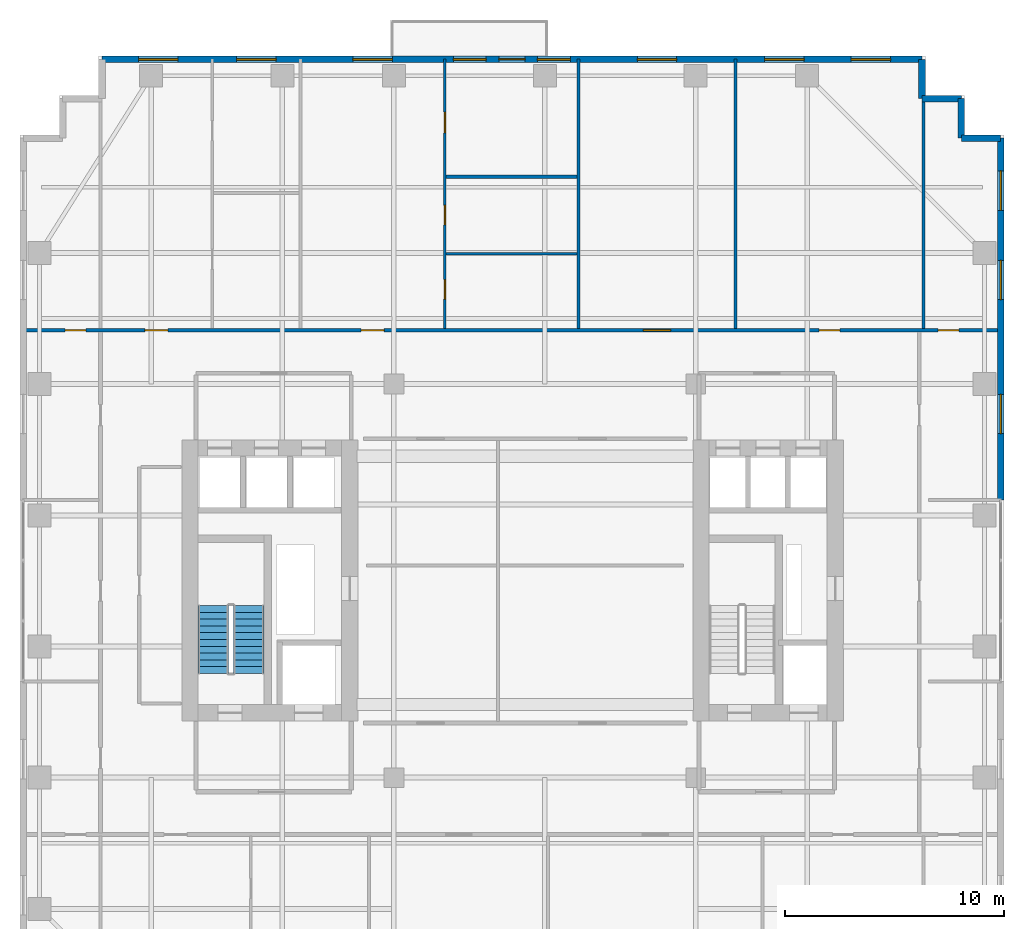
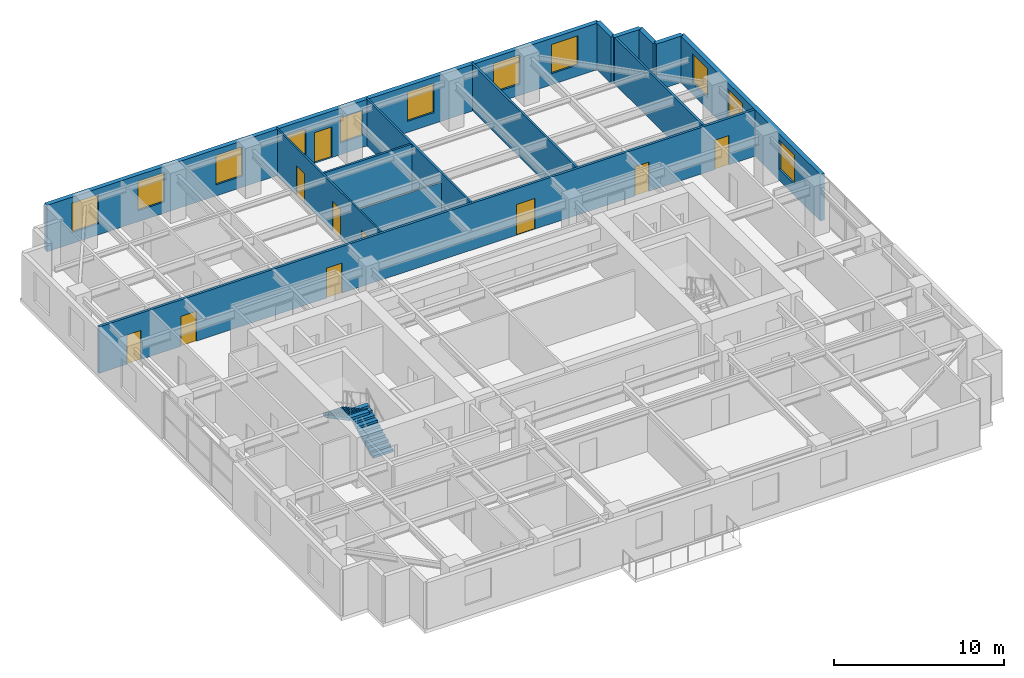
# One storey, part 11 of 14: 13 walls, 11 windows, 10 doors, 2 stair flights, 21 openings, 1 element without a shape of its own.
"""IFC4 building model written with IfcOpenShell, lengths in metres."""

from ifc_helpers import new_model, si_unit, direction, frame, frame_2d, origin, place, context, subcontext, project, spatial, polyline, rectangle, outline, extrude, source, transform, mapped, material, layer, layer_set, type_object, element, fill, aggregate, save


model = new_model("IFC4")

# Units and contexts
model_context = context("Model", 3, precision=1e-05, world=origin(), true_north=direction((0.0, 1.0)))
body_context = subcontext(model_context, "Body", "Model", "MODEL_VIEW")
ifc_project = project(units=[si_unit("LENGTHUNIT", "METRE"), si_unit("AREAUNIT", "SQUARE_METRE"), si_unit("VOLUMEUNIT", "CUBIC_METRE"), si_unit("PLANEANGLEUNIT", "RADIAN"), si_unit("MASSUNIT", "GRAM", prefix="KILO")], contexts=[model_context])

# Site, building, storey
site_placement = place(None, origin())
site = spatial("IfcSite", under=ifc_project, at=site_placement, CompositionType="ELEMENT")
building_placement = place(site_placement, origin())
building = spatial("IfcBuilding", under=site, at=building_placement, Name="Khoralis Quay Care Tower", CompositionType="ELEMENT")
storey_placement = place(building_placement, frame((0.0, 0.0, 108.89990234375)))
storey = spatial("IfcBuildingStorey", under=building, at=storey_placement, Name="L28", CompositionType="ELEMENT", Elevation=108.89990234375)

# Wall, openings, doors
ifc_material_1 = material(Name="Gypsum plasterboard on acoustic metal stud")
ifc_layer_1 = layer(ifc_material_1, 0.1650390625)
ifc_layer_set_1 = layer_set([ifc_layer_1], Name="Gypsum plasterboard on acoustic metal stud")
wall_type_1 = type_object("IfcWallType", Name="WL-CORR-165", PredefinedType="PARTITIONING", material=ifc_layer_set_1)
wall_1_placement = place(storey_placement, frame((0.14501953125, 32.4599609375, 0.0), z_axis=(0.0, 0.0, 1.0), x_axis=(1.0, 0.0, 0.0)))
wall_1 = element("IfcWall", 1, at=wall_1_placement, inside=storey, type_object=wall_type_1, Name="L28 North Main Corridor Wall", PredefinedType="PARTITIONING", context=body_context, shape_type="SweptSolid", body=[
    extrude(rectangle(XDim=44.7099609375, YDim=0.1650390625, at=frame_2d((22.35498046875, 0.0))), origin(), (0.0, 0.0, 1.0), 3.340087890625),
])
opening_1_placement = place(wall_1_placement, frame((5.569091796875, 0.0, 0.0)))
opening_1 = element("IfcOpeningElement", 2, at=opening_1_placement, cuts=wall_1, Name="Opening UD1", PredefinedType="OPENING", context=body_context, shape_type="SweptSolid", body=[
    extrude(rectangle(XDim=1.050048828125, YDim=2.14990234375, at=frame_2d((0.52490234375, 1.074951171875))), frame((0.0, 0.092529296875, 0.0), z_axis=(0.0, -1.0, 0.0), x_axis=(1.0, 0.0, 0.0)), (0.0, 0.0, 1.0), 0.18505859375),
])
opening_2_placement = place(wall_1_placement, frame((15.45703125, 0.0, 0.0)))
opening_2 = element("IfcOpeningElement", 3, at=opening_2_placement, cuts=wall_1, Name="Opening UD1", PredefinedType="OPENING", context=body_context, shape_type="SweptSolid", body=[
    extrude(rectangle(XDim=1.050048828125, YDim=2.14990234375, at=frame_2d((0.52490234375, 1.074951171875))), frame((0.0, 0.092529296875, 0.0), z_axis=(0.0, -1.0, 0.0), x_axis=(1.0, 0.0, 0.0)), (0.0, 0.0, 1.0), 0.18505859375),
])
opening_3_placement = place(wall_1_placement, frame((28.360107421875, 0.0, 0.0)))
opening_3 = element("IfcOpeningElement", 4, at=opening_3_placement, cuts=wall_1, Name="Opening CD1", PredefinedType="OPENING", context=body_context, shape_type="SweptSolid", body=[
    extrude(rectangle(XDim=1.25, YDim=2.199951171875, at=frame_2d((0.625, 1.10009765625))), frame((0.0, 0.092529296875, 0.0), z_axis=(0.0, -1.0, 0.0), x_axis=(1.0, 0.0, 0.0)), (0.0, 0.0, 1.0), 0.18505859375),
])
opening_4_placement = place(wall_1_placement, frame((36.39990234375, 0.0, 0.0)))
opening_4 = element("IfcOpeningElement", 5, at=opening_4_placement, cuts=wall_1, Name="Opening ID1", PredefinedType="OPENING", context=body_context, shape_type="SweptSolid", body=[
    extrude(rectangle(XDim=0.949951171875, YDim=2.10009765625, at=frame_2d((0.47509765625, 1.050048828125))), frame((0.0, 0.092529296875, 0.0), z_axis=(0.0, -1.0, 0.0), x_axis=(1.0, 0.0, 0.0)), (0.0, 0.0, 1.0), 0.18505859375),
])
opening_5_placement = place(wall_1_placement, frame((1.919921875, 0.0, 0.0)))
opening_5 = element("IfcOpeningElement", 6, at=opening_5_placement, cuts=wall_1, Name="Opening ID1", PredefinedType="OPENING", context=body_context, shape_type="SweptSolid", body=[
    extrude(rectangle(XDim=0.949951171875, YDim=2.10009765625, at=frame_2d((0.47509765625, 1.050048828125))), frame((0.0, 0.092529296875, 0.0), z_axis=(0.0, -1.0, 0.0), x_axis=(1.0, 0.0, 0.0)), (0.0, 0.0, 1.0), 0.18505859375),
])
opening_6_placement = place(wall_1_placement, frame((41.840087890625, 0.0, 0.0)))
opening_6 = element("IfcOpeningElement", 7, at=opening_6_placement, cuts=wall_1, Name="Opening ID1", PredefinedType="OPENING", context=body_context, shape_type="SweptSolid", body=[
    extrude(rectangle(XDim=0.949951171875, YDim=2.10009765625, at=frame_2d((0.47509765625, 1.050048828125))), frame((0.0, 0.092529296875, 0.0), z_axis=(0.0, -1.0, 0.0), x_axis=(1.0, 0.0, 0.0)), (0.0, 0.0, 1.0), 0.18505859375),
])
ifc_material_2 = material(Name="Acoustic hardwood timber", Category="wood")
door_type_1 = type_object("IfcDoorType", Name="DR-CARE-1250X2200", OperationType="NOTDEFINED", PredefinedType="DOOR", material=ifc_material_2)
shared_shape_1 = source(origin(), body_context, "Body", "SweptSolid", [
    extrude(rectangle(XDim=1.25, YDim=2.199951171875, at=frame_2d((0.625, 1.10009765625))), frame((0.0, 0.02490234375, 0.0), z_axis=(0.0, -1.0, 0.0), x_axis=(1.0, 0.0, 0.0)), (0.0, 0.0, 1.0), 0.050048828125),
])
door_1_placement = place(opening_3_placement, origin())
door_1 = element("IfcDoor", 8, at=door_1_placement, inside=storey, type_object=door_type_1, Name="L28 Physiotherapy Treatment Clinic Door", OperationType="SINGLE_SWING_RIGHT", OverallHeight=2.199951171875, OverallWidth=1.25, PredefinedType="DOOR", context=body_context, shape_type="MappedRepresentation", body=[
    mapped(shared_shape_1, transform((0.0, 0.0, 0.0), scale=1.0)),
])
fill(opening_3, door_1)
door_type_2 = type_object("IfcDoorType", Name="DR-ROOM-950X2100", OperationType="NOTDEFINED", PredefinedType="DOOR", material=ifc_material_2)
shared_shape_2 = source(origin(), body_context, "Body", "SweptSolid", [
    extrude(rectangle(XDim=0.949951171875, YDim=2.10009765625, at=frame_2d((0.47509765625, 1.050048828125))), frame((0.0, 0.02490234375, 0.0), z_axis=(0.0, -1.0, 0.0), x_axis=(1.0, 0.0, 0.0)), (0.0, 0.0, 1.0), 0.050048828125),
])
door_2_placement = place(opening_4_placement, origin())
door_2 = element("IfcDoor", 9, at=door_2_placement, inside=storey, type_object=door_type_2, Name="L28 Family Case Conference Room Door", OperationType="SINGLE_SWING_RIGHT", OverallHeight=2.10009765625, OverallWidth=0.949951171875, PredefinedType="DOOR", context=body_context, shape_type="MappedRepresentation", body=[
    mapped(shared_shape_2, transform((0.0, 0.0, 0.0), scale=1.0)),
])
fill(opening_4, door_2)
door_3_placement = place(opening_5_placement, origin())
door_3 = element("IfcDoor", 10, at=door_3_placement, inside=storey, type_object=door_type_2, Name="L28 NW Corner Door", OperationType="SINGLE_SWING_RIGHT", OverallHeight=2.10009765625, OverallWidth=0.949951171875, PredefinedType="DOOR", context=body_context, shape_type="MappedRepresentation", body=[
    mapped(shared_shape_2, transform((0.0, 0.0, 0.0), scale=1.0)),
])
fill(opening_5, door_3)
door_4_placement = place(opening_6_placement, origin())
door_4 = element("IfcDoor", 11, at=door_4_placement, inside=storey, type_object=door_type_2, Name="L28 NE Corner Door", OperationType="SINGLE_SWING_LEFT", OverallHeight=2.10009765625, OverallWidth=0.949951171875, PredefinedType="DOOR", context=body_context, shape_type="MappedRepresentation", body=[
    mapped(shared_shape_2, transform((0.0, 0.0, 0.0), scale=1.0)),
])
fill(opening_6, door_4)
door_type_3 = type_object("IfcDoorType", Name="DR-SUITE-1050X2150", OperationType="NOTDEFINED", PredefinedType="DOOR", material=ifc_material_2)
shared_shape_3 = source(origin(), body_context, "Body", "SweptSolid", [
    extrude(rectangle(XDim=1.050048828125, YDim=2.14990234375, at=frame_2d((0.52490234375, 1.074951171875))), frame((0.0, 0.02490234375, 0.0), z_axis=(0.0, -1.0, 0.0), x_axis=(1.0, 0.0, 0.0)), (0.0, 0.0, 1.0), 0.050048828125),
])
door_5_placement = place(opening_1_placement, origin())
door_5 = element("IfcDoor", 12, at=door_5_placement, inside=storey, type_object=door_type_3, Name="L28 Studio NB0 Entrance", OperationType="SINGLE_SWING_RIGHT", OverallHeight=2.14990234375, OverallWidth=1.050048828125, PredefinedType="DOOR", context=body_context, shape_type="MappedRepresentation", body=[
    mapped(shared_shape_3, transform((0.0, 0.0, 0.0), scale=1.0)),
])
fill(opening_1, door_5)
door_6_placement = place(opening_2_placement, origin())
door_6 = element("IfcDoor", 13, at=door_6_placement, inside=storey, type_object=door_type_3, Name="L28 Apartment NB1 Entrance Door", OperationType="SINGLE_SWING_LEFT", OverallHeight=2.14990234375, OverallWidth=1.050048828125, PredefinedType="DOOR", context=body_context, shape_type="MappedRepresentation", body=[
    mapped(shared_shape_3, transform((0.0, 0.0, 0.0), scale=1.0)),
])
fill(opening_2, door_6)

# Wall, openings, windows
ifc_material_3 = material(Name="Precast concrete C45/55", Category="concrete")
ifc_layer_2 = layer(ifc_material_3, 0.300048828125)
ifc_layer_set_2 = layer_set([ifc_layer_2], Name="Precast concrete C45/55")
wall_type_2 = type_object("IfcWallType", Name="WL-EXT-REF-300", PredefinedType="SOLIDWALL", material=ifc_layer_set_2)
wall_2_placement = place(storey_placement, frame((44.85009765625, 24.699951171875, 0.0), z_axis=(0.0, 0.0, 1.0), x_axis=(0.0, 1.0, 0.0)))
wall_2 = element("IfcWall", 14, at=wall_2_placement, inside=storey, type_object=wall_type_2, Name="L28 External Facade Wall WL-EXT-L28-P1-E5B", PredefinedType="SOLIDWALL", context=body_context, shape_type="SweptSolid", body=[
    extrude(rectangle(XDim=16.550048828125, YDim=0.300048828125, at=frame_2d((8.27490234375, 0.0))), origin(), (0.0, 0.0, 1.0), 3.340087890625),
])
opening_7_placement = place(wall_2_placement, frame((3.030029296875, 0.0, 0.800048828125)))
opening_7 = element("IfcOpeningElement", 15, at=opening_7_placement, cuts=wall_2, Name="Opening W2", PredefinedType="OPENING", context=body_context, shape_type="SweptSolid", body=[
    extrude(rectangle(XDim=1.800048828125, YDim=2.10009765625, at=frame_2d((0.89990234375, 1.050048828125))), frame((0.0, 0.16015625, 0.0), z_axis=(0.0, -1.0, 0.0), x_axis=(1.0, 0.0, 0.0)), (0.0, 0.0, 1.0), 0.320068359375),
])
opening_8_placement = place(wall_2_placement, frame((9.16259765625, 0.0, 0.800048828125)))
opening_8 = element("IfcOpeningElement", 16, at=opening_8_placement, cuts=wall_2, Name="Opening W2", PredefinedType="OPENING", context=body_context, shape_type="SweptSolid", body=[
    extrude(rectangle(XDim=1.800048828125, YDim=2.10009765625, at=frame_2d((0.89990234375, 1.050048828125))), frame((0.0, 0.16015625, 0.0), z_axis=(0.0, -1.0, 0.0), x_axis=(1.0, 0.0, 0.0)), (0.0, 0.0, 1.0), 0.320068359375),
])
opening_9_placement = place(wall_2_placement, frame((13.24755859375, 0.0, 0.800048828125)))
opening_9 = element("IfcOpeningElement", 17, at=opening_9_placement, cuts=wall_2, Name="Opening W2", PredefinedType="OPENING", context=body_context, shape_type="SweptSolid", body=[
    extrude(rectangle(XDim=1.800048828125, YDim=2.10009765625, at=frame_2d((0.89990234375, 1.050048828125))), frame((0.0, 0.16015625, 0.0), z_axis=(0.0, -1.0, 0.0), x_axis=(1.0, 0.0, 0.0)), (0.0, 0.0, 1.0), 0.320068359375),
])
ifc_material_4 = material(Name="Low-E solar-control double glazing", Category="glass")
window_type_1 = type_object("IfcWindowType", Name="WN-POD-1800X2100", PartitioningType="SINGLE_PANEL", PredefinedType="WINDOW", material=ifc_material_4)
shared_shape_4 = source(origin(), body_context, "Body", "SweptSolid", [
    extrude(rectangle(XDim=1.800048828125, YDim=2.10009765625, at=frame_2d((0.89990234375, 1.050048828125))), frame((0.0, 0.030029296875, 0.0), z_axis=(0.0, -1.0, 0.0), x_axis=(1.0, 0.0, 0.0)), (0.0, 0.0, 1.0), 0.06005859375),
])
window_1_placement = place(opening_7_placement, origin())
window_1 = element("IfcWindow", 18, at=window_1_placement, inside=storey, type_object=window_type_1, Name="WN-L28-P1-E5B Facade Window 01", OverallHeight=2.10009765625, OverallWidth=1.800048828125, PartitioningType="SINGLE_PANEL", PredefinedType="WINDOW", context=body_context, shape_type="MappedRepresentation", body=[
    mapped(shared_shape_4, transform((0.0, 0.0, 0.0), scale=1.0)),
])
fill(opening_7, window_1)
window_2_placement = place(opening_8_placement, origin())
window_2 = element("IfcWindow", 19, at=window_2_placement, inside=storey, type_object=window_type_1, Name="WN-L28-P1-E5B Facade Window 02", OverallHeight=2.10009765625, OverallWidth=1.800048828125, PartitioningType="SINGLE_PANEL", PredefinedType="WINDOW", context=body_context, shape_type="MappedRepresentation", body=[
    mapped(shared_shape_4, transform((0.0, 0.0, 0.0), scale=1.0)),
])
fill(opening_8, window_2)
window_3_placement = place(opening_9_placement, origin())
window_3 = element("IfcWindow", 20, at=window_3_placement, inside=storey, type_object=window_type_1, Name="WN-L28-P1-E5B Facade Window 03", OverallHeight=2.10009765625, OverallWidth=1.800048828125, PartitioningType="SINGLE_PANEL", PredefinedType="WINDOW", context=body_context, shape_type="MappedRepresentation", body=[
    mapped(shared_shape_4, transform((0.0, 0.0, 0.0), scale=1.0)),
])
fill(opening_9, window_3)

# Walls
for number, where, z_axis, x_axis, name in (
    (21, (44.85009765625, 41.25, 0.0), (0.0, 0.0, 1.0), (-1.0, 0.0, 0.0), "L28 External Facade Wall WL-EXT-L28-P1-C6"),
    (22, (43.050048828125, 41.25, 0.0), (0.0, 0.0, 1.0), (0.0, 1.0, 0.0), "L28 External Facade Wall WL-EXT-L28-P1-C7"),
    (23, (43.050048828125, 43.050048828125, 0.0), (0.0, 0.0, 1.0), (-1.0, 0.0, 0.0), "L28 External Facade Wall WL-EXT-L28-P1-C8"),
    (24, (41.25, 43.050048828125, 0.0), (0.0, 0.0, 1.0), (0.0, 1.0, 0.0), "L28 External Facade Wall WL-EXT-L28-P1-C9"),
):
    element("IfcWall", number, at=place(storey_placement, frame(where, z_axis=z_axis, x_axis=x_axis)), inside=storey, type_object=wall_type_2, Name=name, PredefinedType="SOLIDWALL", context=body_context, shape_type="SweptSolid", body=[
        extrude(rectangle(XDim=1.800048828125, YDim=0.300048828125, at=frame_2d((0.89990234375, 0.0))), origin(), (0.0, 0.0, 1.0), 3.340087890625),
    ])

# Wall, openings, windows, door
wall_3_placement = place(storey_placement, frame((41.25, 44.85009765625, 0.0), z_axis=(0.0, 0.0, 1.0), x_axis=(-1.0, 0.0, 0.0)))
wall_3 = element("IfcWall", 25, at=wall_3_placement, inside=storey, type_object=wall_type_2, Name="L28 External Facade Wall WL-EXT-L28-P1-E10", PredefinedType="SOLIDWALL", context=body_context, shape_type="SweptSolid", body=[
    extrude(rectangle(XDim=37.5, YDim=0.300048828125, at=frame_2d((18.75, 0.0))), origin(), (0.0, 0.0, 1.0), 3.340087890625),
])
opening_10_placement = place(wall_3_placement, frame((1.4375, 0.0, 0.800048828125)))
opening_10 = element("IfcOpeningElement", 26, at=opening_10_placement, cuts=wall_3, Name="Opening W2", PredefinedType="OPENING", context=body_context, shape_type="SweptSolid", body=[
    extrude(rectangle(XDim=1.800048828125, YDim=2.10009765625, at=frame_2d((0.89990234375, 1.050048828125))), frame((0.0, 0.16015625, 0.0), z_axis=(0.0, -1.0, 0.0), x_axis=(1.0, 0.0, 0.0)), (0.0, 0.0, 1.0), 0.320068359375),
])
opening_11_placement = place(wall_3_placement, frame((5.392578125, 0.0, 0.800048828125)))
opening_11 = element("IfcOpeningElement", 27, at=opening_11_placement, cuts=wall_3, Name="Opening W2", PredefinedType="OPENING", context=body_context, shape_type="SweptSolid", body=[
    extrude(rectangle(XDim=1.800048828125, YDim=2.10009765625, at=frame_2d((0.89990234375, 1.050048828125))), frame((0.0, 0.16015625, 0.0), z_axis=(0.0, -1.0, 0.0), x_axis=(1.0, 0.0, 0.0)), (0.0, 0.0, 1.0), 0.320068359375),
])
opening_12_placement = place(wall_3_placement, frame((11.219970703125, 0.0, 0.800048828125)))
opening_12 = element("IfcOpeningElement", 28, at=opening_12_placement, cuts=wall_3, Name="Opening W2", PredefinedType="OPENING", context=body_context, shape_type="SweptSolid", body=[
    extrude(rectangle(XDim=1.800048828125, YDim=2.10009765625, at=frame_2d((0.89990234375, 1.050048828125))), frame((0.0, 0.16015625, 0.0), z_axis=(0.0, -1.0, 0.0), x_axis=(1.0, 0.0, 0.0)), (0.0, 0.0, 1.0), 0.320068359375),
])
opening_13_placement = place(wall_3_placement, frame((16.0849609375, 0.0, 0.85009765625)))
opening_13 = element("IfcOpeningElement", 29, at=opening_13_placement, cuts=wall_3, Name="Opening W3", PredefinedType="OPENING", context=body_context, shape_type="SweptSolid", body=[
    extrude(rectangle(XDim=1.5, YDim=1.800048828125, at=frame_2d((0.75, 0.89990234375))), frame((0.0, 0.16015625, 0.0), z_axis=(0.0, -1.0, 0.0), x_axis=(1.0, 0.0, 0.0)), (0.0, 0.0, 1.0), 0.320068359375),
])
opening_14_placement = place(wall_3_placement, frame((19.927978515625, 0.0, 0.85009765625)))
opening_14 = element("IfcOpeningElement", 30, at=opening_14_placement, cuts=wall_3, Name="Opening W3", PredefinedType="OPENING", context=body_context, shape_type="SweptSolid", body=[
    extrude(rectangle(XDim=1.5, YDim=1.800048828125, at=frame_2d((0.75, 0.89990234375))), frame((0.0, 0.16015625, 0.0), z_axis=(0.0, -1.0, 0.0), x_axis=(1.0, 0.0, 0.0)), (0.0, 0.0, 1.0), 0.320068359375),
])
opening_15_placement = place(wall_3_placement, frame((24.222900390625, 0.0, 0.800048828125)))
opening_15 = element("IfcOpeningElement", 31, at=opening_15_placement, cuts=wall_3, Name="Opening W2", PredefinedType="OPENING", context=body_context, shape_type="SweptSolid", body=[
    extrude(rectangle(XDim=1.800048828125, YDim=2.10009765625, at=frame_2d((0.89990234375, 1.050048828125))), frame((0.0, 0.16015625, 0.0), z_axis=(0.0, -1.0, 0.0), x_axis=(1.0, 0.0, 0.0)), (0.0, 0.0, 1.0), 0.320068359375),
])
opening_16_placement = place(wall_3_placement, frame((29.541015625, 0.0, 0.800048828125)))
opening_16 = element("IfcOpeningElement", 32, at=opening_16_placement, cuts=wall_3, Name="Opening W2", PredefinedType="OPENING", context=body_context, shape_type="SweptSolid", body=[
    extrude(rectangle(XDim=1.800048828125, YDim=2.10009765625, at=frame_2d((0.89990234375, 1.050048828125))), frame((0.0, 0.16015625, 0.0), z_axis=(0.0, -1.0, 0.0), x_axis=(1.0, 0.0, 0.0)), (0.0, 0.0, 1.0), 0.320068359375),
])
opening_17_placement = place(wall_3_placement, frame((34.02587890625, 0.0, 0.800048828125)))
opening_17 = element("IfcOpeningElement", 33, at=opening_17_placement, cuts=wall_3, Name="Opening W2", PredefinedType="OPENING", context=body_context, shape_type="SweptSolid", body=[
    extrude(rectangle(XDim=1.800048828125, YDim=2.10009765625, at=frame_2d((0.89990234375, 1.050048828125))), frame((0.0, 0.16015625, 0.0), z_axis=(0.0, -1.0, 0.0), x_axis=(1.0, 0.0, 0.0)), (0.0, 0.0, 1.0), 0.320068359375),
])
opening_18_placement = place(wall_3_placement, frame((18.14990234375, 0.0, 0.0)))
opening_18 = element("IfcOpeningElement", 34, at=opening_18_placement, cuts=wall_3, Name="Opening BD1", PredefinedType="OPENING", context=body_context, shape_type="SweptSolid", body=[
    extrude(rectangle(XDim=1.199951171875, YDim=2.199951171875, at=frame_2d((0.60009765625, 1.10009765625))), frame((0.0, 0.16015625, 0.0), z_axis=(0.0, -1.0, 0.0), x_axis=(1.0, 0.0, 0.0)), (0.0, 0.0, 1.0), 0.320068359375),
])
window_type_2 = type_object("IfcWindowType", Name="WN-CLIN-1500X1800", PartitioningType="SINGLE_PANEL", PredefinedType="WINDOW", material=ifc_material_4)
shared_shape_5 = source(origin(), body_context, "Body", "SweptSolid", [
    extrude(rectangle(XDim=1.5, YDim=1.800048828125, at=frame_2d((0.75, 0.89990234375))), frame((0.0, 0.030029296875, 0.0), z_axis=(0.0, -1.0, 0.0), x_axis=(1.0, 0.0, 0.0)), (0.0, 0.0, 1.0), 0.06005859375),
])
window_4_placement = place(opening_13_placement, origin())
window_4 = element("IfcWindow", 35, at=window_4_placement, inside=storey, type_object=window_type_2, Name="WN-L28-P1-E10 Facade Window 04", OverallHeight=1.800048828125, OverallWidth=1.5, PartitioningType="SINGLE_PANEL", PredefinedType="WINDOW", context=body_context, shape_type="MappedRepresentation", body=[
    mapped(shared_shape_5, transform((0.0, 0.0, 0.0), scale=1.0)),
])
fill(opening_13, window_4)
window_5_placement = place(opening_14_placement, origin())
window_5 = element("IfcWindow", 36, at=window_5_placement, inside=storey, type_object=window_type_2, Name="WN-L28-P1-E10 Facade Window 05", OverallHeight=1.800048828125, OverallWidth=1.5, PartitioningType="SINGLE_PANEL", PredefinedType="WINDOW", context=body_context, shape_type="MappedRepresentation", body=[
    mapped(shared_shape_5, transform((0.0, 0.0, 0.0), scale=1.0)),
])
fill(opening_14, window_5)
window_6_placement = place(opening_10_placement, origin())
window_6 = element("IfcWindow", 37, at=window_6_placement, inside=storey, type_object=window_type_1, Name="WN-L28-P1-E10 Facade Window 01", OverallHeight=2.10009765625, OverallWidth=1.800048828125, PartitioningType="SINGLE_PANEL", PredefinedType="WINDOW", context=body_context, shape_type="MappedRepresentation", body=[
    mapped(shared_shape_4, transform((0.0, 0.0, 0.0), scale=1.0)),
])
fill(opening_10, window_6)
window_7_placement = place(opening_11_placement, origin())
window_7 = element("IfcWindow", 38, at=window_7_placement, inside=storey, type_object=window_type_1, Name="WN-L28-P1-E10 Facade Window 02", OverallHeight=2.10009765625, OverallWidth=1.800048828125, PartitioningType="SINGLE_PANEL", PredefinedType="WINDOW", context=body_context, shape_type="MappedRepresentation", body=[
    mapped(shared_shape_4, transform((0.0, 0.0, 0.0), scale=1.0)),
])
fill(opening_11, window_7)
window_8_placement = place(opening_12_placement, origin())
window_8 = element("IfcWindow", 39, at=window_8_placement, inside=storey, type_object=window_type_1, Name="WN-L28-P1-E10 Facade Window 03", OverallHeight=2.10009765625, OverallWidth=1.800048828125, PartitioningType="SINGLE_PANEL", PredefinedType="WINDOW", context=body_context, shape_type="MappedRepresentation", body=[
    mapped(shared_shape_4, transform((0.0, 0.0, 0.0), scale=1.0)),
])
fill(opening_12, window_8)
window_9_placement = place(opening_15_placement, origin())
window_9 = element("IfcWindow", 40, at=window_9_placement, inside=storey, type_object=window_type_1, Name="WN-L28-P1-E10 Facade Window 06", OverallHeight=2.10009765625, OverallWidth=1.800048828125, PartitioningType="SINGLE_PANEL", PredefinedType="WINDOW", context=body_context, shape_type="MappedRepresentation", body=[
    mapped(shared_shape_4, transform((0.0, 0.0, 0.0), scale=1.0)),
])
fill(opening_15, window_9)
window_10_placement = place(opening_16_placement, origin())
window_10 = element("IfcWindow", 41, at=window_10_placement, inside=storey, type_object=window_type_1, Name="WN-L28-P1-E10 Facade Window 07", OverallHeight=2.10009765625, OverallWidth=1.800048828125, PartitioningType="SINGLE_PANEL", PredefinedType="WINDOW", context=body_context, shape_type="MappedRepresentation", body=[
    mapped(shared_shape_4, transform((0.0, 0.0, 0.0), scale=1.0)),
])
fill(opening_16, window_10)
window_11_placement = place(opening_17_placement, origin())
window_11 = element("IfcWindow", 42, at=window_11_placement, inside=storey, type_object=window_type_1, Name="WN-L28-P1-E10 Facade Window 08", OverallHeight=2.10009765625, OverallWidth=1.800048828125, PartitioningType="SINGLE_PANEL", PredefinedType="WINDOW", context=body_context, shape_type="MappedRepresentation", body=[
    mapped(shared_shape_4, transform((0.0, 0.0, 0.0), scale=1.0)),
])
fill(opening_17, window_11)
ifc_material_5 = material(Name="Anodised aluminium and laminated safety glass", Category="aluminium")
door_type_4 = type_object("IfcDoorType", Name="DR-EXT-BALC-1200X2200", OperationType="NOTDEFINED", PredefinedType="DOOR", material=ifc_material_5)
shared_shape_6 = source(origin(), body_context, "Body", "SweptSolid", [
    extrude(rectangle(XDim=1.199951171875, YDim=2.199951171875, at=frame_2d((0.60009765625, 1.10009765625))), frame((0.0, 0.02490234375, 0.0), z_axis=(0.0, -1.0, 0.0), x_axis=(1.0, 0.0, 0.0)), (0.0, 0.0, 1.0), 0.050048828125),
])
door_7_placement = place(opening_18_placement, frame((1.199951171875, 0.0, 0.0), z_axis=(0.0, 0.0, 1.0), x_axis=(-1.0, 0.0, 0.0)))
door_7 = element("IfcDoor", 43, at=door_7_placement, inside=storey, type_object=door_type_4, Name="L28 Senior Loggia Balcony Door", OperationType="SINGLE_SWING_LEFT", OverallHeight=2.199951171875, OverallWidth=1.199951171875, PredefinedType="DOOR", context=body_context, shape_type="MappedRepresentation", body=[
    mapped(shared_shape_6, transform((0.0, 0.0, 0.0), scale=1.0)),
])
fill(opening_18, door_7)

# Wall, openings, doors
ifc_layer_3 = layer(ifc_material_1, 0.114990234375)
ifc_layer_set_3 = layer_set([ifc_layer_3], Name="Gypsum plasterboard on acoustic metal stud")
wall_type_3 = type_object("IfcWallType", Name="WL-PART-115", PredefinedType="PARTITIONING", material=ifc_layer_set_3)
wall_4_placement = place(storey_placement, frame((19.43408203125, 32.53759765625, 0.0), z_axis=(0.0, 0.0, 1.0), x_axis=(0.0, 1.0, 0.0)))
wall_4 = element("IfcWall", 44, at=wall_4_placement, inside=storey, type_object=wall_type_3, Name="L28 Unit 1 Internal Wall", PredefinedType="PARTITIONING", context=body_context, shape_type="SweptSolid", body=[
    extrude(rectangle(XDim=12.3173828125, YDim=0.114990234375, at=frame_2d((6.15869140625, 0.0))), origin(), (0.0, 0.0, 1.0), 3.340087890625),
])
opening_19_placement = place(wall_4_placement, frame((8.95361328125, 0.0, 0.0)))
opening_19 = element("IfcOpeningElement", 45, at=opening_19_placement, cuts=wall_4, Name="Opening ID1", PredefinedType="OPENING", context=body_context, shape_type="SweptSolid", body=[
    extrude(rectangle(XDim=0.949951171875, YDim=2.10009765625, at=frame_2d((0.47509765625, 1.050048828125))), frame((0.0, 0.0673828125, 0.0), z_axis=(0.0, -1.0, 0.0), x_axis=(1.0, 0.0, 0.0)), (0.0, 0.0, 1.0), 0.135009765625),
])
opening_20_placement = place(wall_4_placement, frame((4.739013671875, 0.0, 0.0)))
opening_20 = element("IfcOpeningElement", 46, at=opening_20_placement, cuts=wall_4, Name="Opening WD1", PredefinedType="OPENING", context=body_context, shape_type="SweptSolid", body=[
    extrude(rectangle(XDim=0.89990234375, YDim=2.10009765625, at=frame_2d((0.449951171875, 1.050048828125))), frame((0.0, 0.0673828125, 0.0), z_axis=(0.0, -1.0, 0.0), x_axis=(1.0, 0.0, 0.0)), (0.0, 0.0, 1.0), 0.135009765625),
])
opening_21_placement = place(wall_4_placement, frame((1.343017578125, 0.0, 0.0)))
opening_21 = element("IfcOpeningElement", 47, at=opening_21_placement, cuts=wall_4, Name="Opening WD1", PredefinedType="OPENING", context=body_context, shape_type="SweptSolid", body=[
    extrude(rectangle(XDim=0.89990234375, YDim=2.10009765625, at=frame_2d((0.449951171875, 1.050048828125))), frame((0.0, 0.0673828125, 0.0), z_axis=(0.0, -1.0, 0.0), x_axis=(1.0, 0.0, 0.0)), (0.0, 0.0, 1.0), 0.135009765625),
])
door_type_5 = type_object("IfcDoorType", Name="DR-BATH-900X2100", OperationType="NOTDEFINED", PredefinedType="DOOR", material=ifc_material_2)
shared_shape_7 = source(origin(), body_context, "Body", "SweptSolid", [
    extrude(rectangle(XDim=0.89990234375, YDim=2.10009765625, at=frame_2d((0.449951171875, 1.050048828125))), frame((0.0, 0.02490234375, 0.0), z_axis=(0.0, -1.0, 0.0), x_axis=(1.0, 0.0, 0.0)), (0.0, 0.0, 1.0), 0.050048828125),
])
door_8_placement = place(opening_20_placement, frame((0.89990234375, 0.0, 0.0), z_axis=(0.0, 0.0, 1.0), x_axis=(-1.0, 0.0, 0.0)))
door_8 = element("IfcDoor", 48, at=door_8_placement, inside=storey, type_object=door_type_5, Name="L28 Apartment NB1 KIT Door", OperationType="SINGLE_SWING_LEFT", OverallHeight=2.10009765625, OverallWidth=0.89990234375, PredefinedType="DOOR", context=body_context, shape_type="MappedRepresentation", body=[
    mapped(shared_shape_7, transform((0.0, 0.0, 0.0), scale=1.0)),
])
fill(opening_20, door_8)
door_9_placement = place(opening_21_placement, frame((0.89990234375, 0.0, 0.0), z_axis=(0.0, 0.0, 1.0), x_axis=(-1.0, 0.0, 0.0)))
door_9 = element("IfcDoor", 49, at=door_9_placement, inside=storey, type_object=door_type_5, Name="L28 Apartment NB1 BTH Door", OperationType="SINGLE_SWING_RIGHT", OverallHeight=2.10009765625, OverallWidth=0.89990234375, PredefinedType="DOOR", context=body_context, shape_type="MappedRepresentation", body=[
    mapped(shared_shape_7, transform((0.0, 0.0, 0.0), scale=1.0)),
])
fill(opening_21, door_9)
door_10_placement = place(opening_19_placement, frame((0.949951171875, 0.0, 0.0), z_axis=(0.0, 0.0, 1.0), x_axis=(-1.0, 0.0, 0.0)))
door_10 = element("IfcDoor", 50, at=door_10_placement, inside=storey, type_object=door_type_2, Name="L28 Apartment NB1 BED Door", OperationType="SINGLE_SWING_RIGHT", OverallHeight=2.10009765625, OverallWidth=0.949951171875, PredefinedType="DOOR", context=body_context, shape_type="MappedRepresentation", body=[
    mapped(shared_shape_2, transform((0.0, 0.0, 0.0), scale=1.0)),
])
fill(opening_19, door_10)

# Walls
wall_5_placement = place(storey_placement, frame((19.486572265625, 35.970947265625, 0.0), z_axis=(0.0, 0.0, 1.0), x_axis=(1.0, 0.0, 0.0)))
element("IfcWall", 51, at=wall_5_placement, inside=storey, type_object=wall_type_3, Name="L28 Unit 1 Kitchen Wall", PredefinedType="PARTITIONING", context=body_context, shape_type="SweptSolid", body=[
    extrude(rectangle(XDim=5.988525390625, YDim=0.114990234375, at=frame_2d((2.994140625, 0.0))), origin(), (0.0, 0.0, 1.0), 2.72314453125),
])
ifc_material_6 = material(Name="Moisture-resistant gypsum and ceramic tile")
ifc_layer_4 = layer(ifc_material_6, 0.280029296875)
ifc_layer_set_4 = layer_set([ifc_layer_4], Name="Moisture-resistant gypsum and ceramic tile")
wall_type_4 = type_object("IfcWallType", Name="WL-PLUMB-280", PredefinedType="PLUMBINGWALL", material=ifc_layer_set_4)
wall_6_placement = place(storey_placement, frame((19.486572265625, 39.48193359375, 0.0), z_axis=(0.0, 0.0, 1.0), x_axis=(1.0, 0.0, 0.0)))
element("IfcWall", 52, at=wall_6_placement, inside=storey, type_object=wall_type_4, Name="L28 Unit 1 Wet Wall", PredefinedType="PLUMBINGWALL", context=body_context, shape_type="SweptSolid", body=[
    extrude(rectangle(XDim=5.988525390625, YDim=0.139892578125, at=frame_2d((2.994140625, 0.0))), origin(), (0.0, 0.0, 1.0), 3.340087890625),
])
ifc_layer_5 = layer(ifc_material_1, 0.139892578125)
ifc_layer_set_5 = layer_set([ifc_layer_5], Name="Gypsum plasterboard on acoustic metal stud")
wall_type_5 = type_object("IfcWallType", Name="WL-UNIT-140", PredefinedType="PARTITIONING", material=ifc_layer_set_5)
for number, where, z_axis, x_axis, name in (
    (53, (25.5400390625, 32.53759765625, 0.0), (0.0, 0.0, 1.0), (0.0, 1.0, 0.0), "L28 NB Demising Wall 2"),
    (54, (32.719970703125, 32.53759765625, 0.0), (0.0, 0.0, 1.0), (0.0, 1.0, 0.0), "L28 NB Demising Wall 3"),
):
    element("IfcWall", number, at=place(storey_placement, frame(where, z_axis=z_axis, x_axis=x_axis)), inside=storey, type_object=wall_type_5, Name=name, PredefinedType="PARTITIONING", context=body_context, shape_type="SweptSolid", body=[
        extrude(rectangle(XDim=12.3173828125, YDim=0.139892578125, at=frame_2d((6.15869140625, 0.0))), origin(), (0.0, 0.0, 1.0), 3.340087890625),
    ])
wall_7_placement = place(storey_placement, frame((41.320068359375, 32.53759765625, 0.0), z_axis=(0.0, 0.0, 1.0), x_axis=(0.0, 1.0, 0.0)))
element("IfcWall", 55, at=wall_7_placement, inside=storey, type_object=wall_type_5, Name="L28 NB Demising Wall 4", PredefinedType="PARTITIONING", context=body_context, shape_type="SweptSolid", body=[
    extrude(rectangle(XDim=10.517333984375, YDim=0.139892578125, at=frame_2d((5.2587890625, 0.0))), origin(), (0.0, 0.0, 1.0), 3.340087890625),
])

# Stair, stair flights
stair_type = type_object("IfcStairType", Name="ST-TWR-DOGLEG-1400", PredefinedType="HALF_TURN_STAIR", material=ifc_material_3)
stair_placement = place(storey_placement, origin())
stair = element("IfcStair", 56, at=stair_placement, inside=storey, type_object=stair_type, Name="L28 West Core Exit Stair ST-T1", PredefinedType="HALF_TURN_STAIR")
stair_flight_type = type_object("IfcStairFlightType", Name="SF-TWR-1400", PredefinedType="STRAIGHT", material=ifc_material_3)
shared_shape_8 = source(origin(), body_context, "Body", "SweptSolid", [
    extrude(outline(polyline([(0.0, 0.0), (0.0, 0.16357421875), (0.31005859375, 0.16357421875), (0.31005859375, 0.327392578125), (0.6201171875, 0.327392578125), (0.6201171875, 0.490966796875), (0.929931640625, 0.490966796875), (0.929931640625, 0.654541015625), (1.239990234375, 0.654541015625), (1.239990234375, 0.818115234375), (1.550048828125, 0.818115234375), (1.550048828125, 0.98193359375), (1.860107421875, 0.98193359375), (1.860107421875, 1.1455078125), (2.169921875, 1.1455078125), (2.169921875, 1.30908203125), (2.47998046875, 1.30908203125), (2.47998046875, 1.47265625), (2.7900390625, 1.47265625), (2.7900390625, 1.636474609375), (3.10009765625, 1.636474609375), (3.10009765625, 1.800048828125), (3.10009765625, 1.466796875), (0.321044921875, 0.0), (0.0, 0.0)])), frame((0.0, 0.68994140625, 0.0), z_axis=(0.0, -1.0, 0.0), x_axis=(1.0, 0.0, 0.0)), (0.0, 0.0, 1.0), 1.3798828125),
])
stair_flight_1_placement = place(storey_placement, frame((10.4599609375, 16.77001953125, 0.0), z_axis=(0.0, 0.0, 1.0), x_axis=(0.0, 1.0, 0.0)))
stair_flight_1 = element("IfcStairFlight", 57, at=stair_flight_1_placement, type_object=stair_flight_type, Name="ST-T1 flight 1", NumberOfRisers=11, NumberOfTreads=10, PredefinedType="STRAIGHT", RiserHeight=0.163636364, TreadLength=0.31, context=body_context, shape_type="MappedRepresentation", body=[
    mapped(shared_shape_8, transform((0.0, 0.0, 0.0), scale=1.0)),
])
stair_flight_2_placement = place(storey_placement, frame((8.840087890625, 19.8701171875, 1.800048828125), z_axis=(0.0, 0.0, 1.0), x_axis=(0.0, -1.0, 0.0)))
stair_flight_2 = element("IfcStairFlight", 58, at=stair_flight_2_placement, type_object=stair_flight_type, Name="ST-T1 flight 2", NumberOfRisers=11, NumberOfTreads=10, PredefinedType="STRAIGHT", RiserHeight=0.163636364, TreadLength=0.31, context=body_context, shape_type="MappedRepresentation", body=[
    mapped(shared_shape_8, transform((0.0, 0.0, 0.0), scale=1.0)),
])
aggregate(stair, [stair_flight_1, stair_flight_2])

save(model, "model.ifc")
